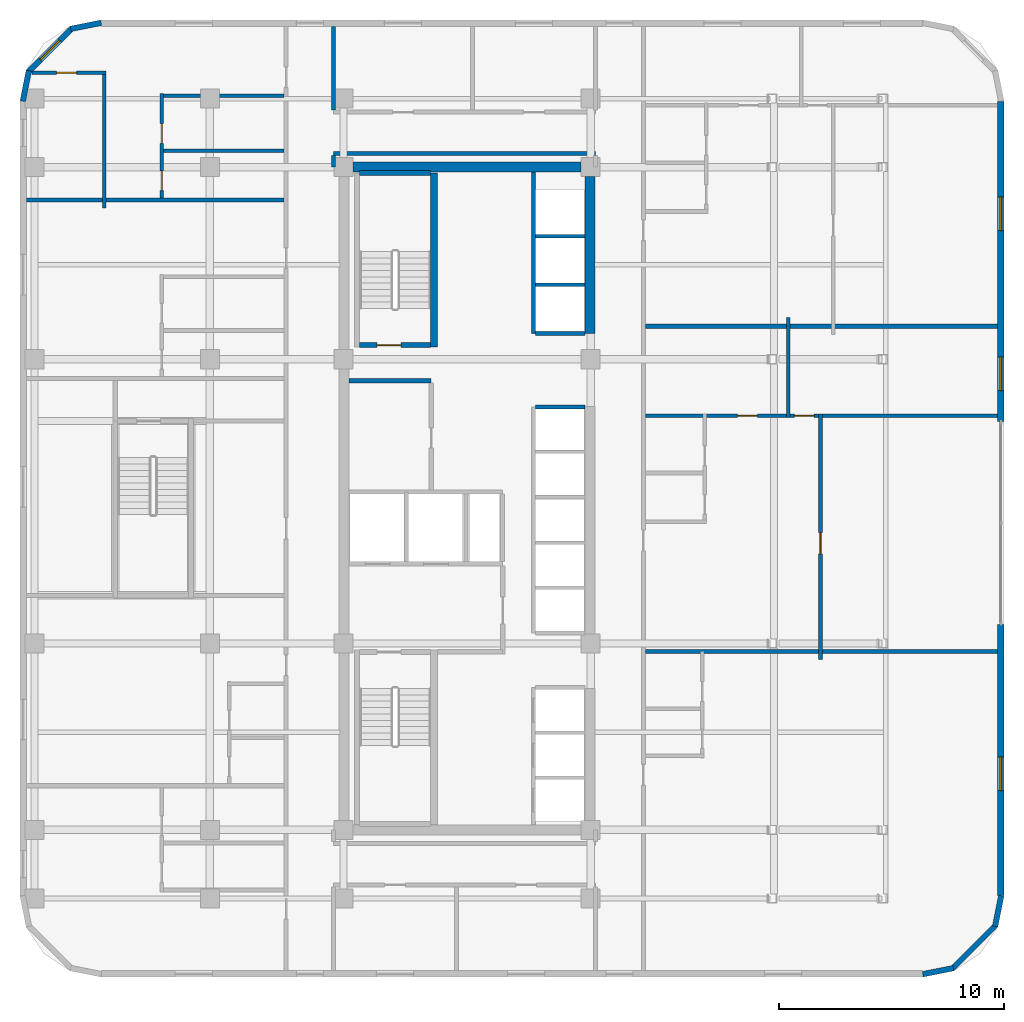
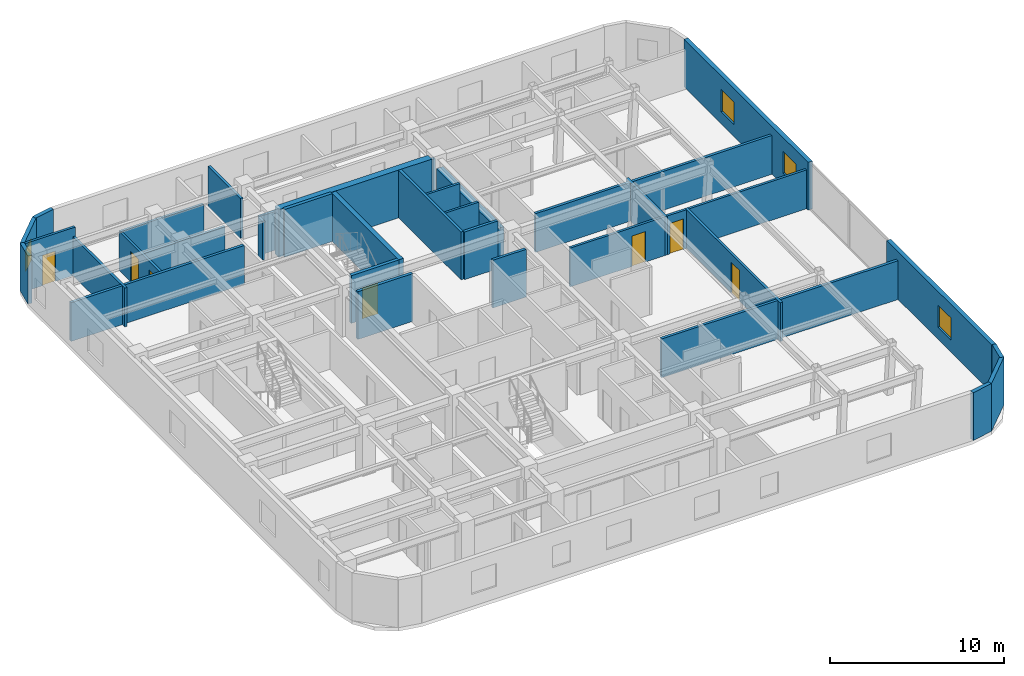
# One storey, part 6 of 9: 33 walls, 7 doors, 4 windows, 11 openings.
"""IFC4 building model written with IfcOpenShell, lengths in metres."""

from ifc_helpers import new_model, si_unit, direction, frame, frame_2d, origin, place, context, subcontext, project, spatial, rectangle, extrude, material, layer, layer_set, type_object, element, fill, save


model = new_model("IFC4")

# Units and contexts
model_context = context("Model", 3, precision=1e-05, world=origin(), true_north=direction((0.0, 1.0)))
body_context = subcontext(model_context, "Body", "Model", "MODEL_VIEW")
ifc_project = project(units=[si_unit("LENGTHUNIT", "METRE"), si_unit("AREAUNIT", "SQUARE_METRE"), si_unit("VOLUMEUNIT", "CUBIC_METRE"), si_unit("PLANEANGLEUNIT", "RADIAN"), si_unit("MASSUNIT", "GRAM", prefix="KILO")], contexts=[model_context])

# Site, building, storey
site_placement = place(None, origin())
site = spatial("IfcSite", under=ifc_project, at=site_placement, CompositionType="ELEMENT")
building_placement = place(site_placement, origin())
building = spatial("IfcBuilding", under=site, at=building_placement, Name="Ochreholt Gables", CompositionType="ELEMENT")
storey_placement = place(building_placement, frame((0.0, 0.0, 94.800048828125)))
storey = spatial("IfcBuildingStorey", under=building, at=storey_placement, Name="L24", CompositionType="ELEMENT", Elevation=94.800048828125)

# Walls
ifc_material_1 = material(Name="Concrete 60 MPa", Category="concrete")
ifc_layer_1 = layer(ifc_material_1, 0.449951171875, Name="Concrete 60 MPa")
ifc_layer_set_1 = layer_set([ifc_layer_1], Name="Concrete 60 MPa")
wall_type_1 = type_object("IfcWallType", Name="WALL-CSW-450", PredefinedType="SHEAR", material=ifc_layer_set_1)
wall_1_placement = place(storey_placement, frame((35.175048828125, 31.35009765625, 0.0), z_axis=(0.0, 0.0, 1.0), x_axis=(0.0, 1.0, 0.0)))
element("IfcWall", 1, at=wall_1_placement, inside=storey, type_object=wall_type_1, Name="L24 Core North-East Shear Wall", PredefinedType="SHEAR", context=body_context, shape_type="SweptSolid", body=[
    extrude(rectangle(XDim=6.974853515625, YDim=0.449951171875, at=frame_2d((3.4873046875, 0.0))), origin(), (0.0, 0.0, 1.0), 2.739013671875),
])
wall_2_placement = place(storey_placement, frame((24.625, 38.75, 0.0), z_axis=(0.0, 0.0, 1.0), x_axis=(1.0, 0.0, 0.0)))
element("IfcWall", 2, at=wall_2_placement, inside=storey, type_object=wall_type_1, Name="L24 Core North Shear Wall", PredefinedType="SHEAR", context=body_context, shape_type="SweptSolid", body=[
    extrude(rectangle(XDim=10.14990234375, YDim=0.449951171875, at=frame_2d((5.074951171875, 0.0))), origin(), (0.0, 0.0, 1.0), 3.349853515625),
])

# Wall, opening, window
ifc_material_2 = material(Name="Precast concrete 40 MPa", Category="concrete")
ifc_layer_2 = layer(ifc_material_2, 0.280029296875, Name="Precast concrete 40 MPa")
ifc_layer_set_2 = layer_set([ifc_layer_2], Name="Precast concrete 40 MPa")
wall_type_2 = type_object("IfcWallType", Name="WALL-EXT-280", PredefinedType="SOLIDWALL", material=ifc_layer_set_2)
wall_3_placement = place(storey_placement, frame((53.4599609375, 6.320068359375, 0.0), z_axis=(0.0, 0.0, 1.0), x_axis=(0.0, 1.0, 0.0)))
wall_3 = element("IfcWall", 3, at=wall_3_placement, inside=storey, type_object=wall_type_2, Name="L24 East Facade Wall 1", PredefinedType="SOLIDWALL", context=body_context, shape_type="SweptSolid", body=[
    extrude(rectangle(XDim=12.079833984375, YDim=0.280029296875, at=frame_2d((6.0400390625, 0.0))), origin(), (0.0, 0.0, 1.0), 3.349853515625),
])
opening_1_placement = place(wall_3_placement, frame((4.681884765625, 0.0, 0.85009765625)))
opening_1 = element("IfcOpeningElement", 4, at=opening_1_placement, cuts=wall_3, Name="Opening WN-2", PredefinedType="OPENING", context=body_context, shape_type="SweptSolid", body=[
    extrude(rectangle(XDim=1.5, YDim=1.550048828125, at=frame_2d((0.75, 0.77490234375))), frame((0.0, 0.14990234375, 0.0), z_axis=(0.0, -1.0, 0.0), x_axis=(1.0, 0.0, 0.0)), (0.0, 0.0, 1.0), 0.300048828125),
])
ifc_material_3 = material(Name="Triple-Glazed Thermally Broken Aluminium Window", Category="aluminium")
window_type_1 = type_object("IfcWindowType", Name="WIN-RES-1500", PartitioningType="SINGLE_PANEL", PredefinedType="WINDOW", material=ifc_material_3)
window_1_placement = place(opening_1_placement, origin())
window_1 = element("IfcWindow", 5, at=window_1_placement, inside=storey, type_object=window_type_1, Name="L24 Window W-EXT-E1-L24-1", OverallHeight=1.550048828125, OverallWidth=1.5, PartitioningType="SINGLE_PANEL", PredefinedType="WINDOW", context=body_context, shape_type="SweptSolid", body=[
    extrude(rectangle(XDim=1.5, YDim=1.550048828125, at=frame_2d((0.75, 0.77490234375))), frame((0.0, 0.030029296875, 0.0), z_axis=(0.0, -1.0, 0.0), x_axis=(1.0, 0.0, 0.0)), (0.0, 0.0, 1.0), 0.06005859375),
])
fill(opening_1, window_1)

# Wall, openings, windows
wall_4_placement = place(storey_placement, frame((53.4599609375, 27.427978515625, 0.0), z_axis=(0.0, 0.0, 1.0), x_axis=(0.0, 1.0, 0.0)))
wall_4 = element("IfcWall", 6, at=wall_4_placement, inside=storey, type_object=wall_type_2, Name="L24 East Facade Wall 2", PredefinedType="SOLIDWALL", context=body_context, shape_type="SweptSolid", body=[
    extrude(rectangle(XDim=14.251953125, YDim=0.280029296875, at=frame_2d((7.1259765625, 0.0))), origin(), (0.0, 0.0, 1.0), 3.349853515625),
])
opening_2_placement = place(wall_4_placement, frame((1.3701171875, 0.0, 0.85009765625)))
opening_2 = element("IfcOpeningElement", 7, at=opening_2_placement, cuts=wall_4, Name="Opening WN-2", PredefinedType="OPENING", context=body_context, shape_type="SweptSolid", body=[
    extrude(rectangle(XDim=1.5, YDim=1.550048828125, at=frame_2d((0.75, 0.77490234375))), frame((0.0, 0.14990234375, 0.0), z_axis=(0.0, -1.0, 0.0), x_axis=(1.0, 0.0, 0.0)), (0.0, 0.0, 1.0), 0.300048828125),
])
opening_3_placement = place(wall_4_placement, frame((8.49609375, 0.0, 0.85009765625)))
opening_3 = element("IfcOpeningElement", 8, at=opening_3_placement, cuts=wall_4, Name="Opening WN-2", PredefinedType="OPENING", context=body_context, shape_type="SweptSolid", body=[
    extrude(rectangle(XDim=1.5, YDim=1.550048828125, at=frame_2d((0.75, 0.77490234375))), frame((0.0, 0.14990234375, 0.0), z_axis=(0.0, -1.0, 0.0), x_axis=(1.0, 0.0, 0.0)), (0.0, 0.0, 1.0), 0.300048828125),
])
window_2_placement = place(opening_2_placement, origin())
window_2 = element("IfcWindow", 9, at=window_2_placement, inside=storey, type_object=window_type_1, Name="L24 Window W-EXT-E2-L24-1", OverallHeight=1.550048828125, OverallWidth=1.5, PartitioningType="SINGLE_PANEL", PredefinedType="WINDOW", context=body_context, shape_type="SweptSolid", body=[
    extrude(rectangle(XDim=1.5, YDim=1.550048828125, at=frame_2d((0.75, 0.77490234375))), frame((0.0, 0.030029296875, 0.0), z_axis=(0.0, -1.0, 0.0), x_axis=(1.0, 0.0, 0.0)), (0.0, 0.0, 1.0), 0.06005859375),
])
fill(opening_2, window_2)
window_3_placement = place(opening_3_placement, origin())
window_3 = element("IfcWindow", 10, at=window_3_placement, inside=storey, type_object=window_type_1, Name="L24 Window W-EXT-E2-L24-2", OverallHeight=1.550048828125, OverallWidth=1.5, PartitioningType="SINGLE_PANEL", PredefinedType="WINDOW", context=body_context, shape_type="SweptSolid", body=[
    extrude(rectangle(XDim=1.5, YDim=1.550048828125, at=frame_2d((0.75, 0.77490234375))), frame((0.0, 0.030029296875, 0.0), z_axis=(0.0, -1.0, 0.0), x_axis=(1.0, 0.0, 0.0)), (0.0, 0.0, 1.0), 0.06005859375),
])
fill(opening_3, window_3)

# Walls
ifc_layer_3 = layer(ifc_material_2, 0.25, Name="Precast concrete 40 MPa")
ifc_layer_set_3 = layer_set([ifc_layer_3], Name="Precast concrete 40 MPa")
wall_type_3 = type_object("IfcWallType", Name="WALL-EXT-CNR", PredefinedType="SOLIDWALL", material=ifc_layer_set_3)
wall_5_placement = place(storey_placement, frame((49.9833984375, 2.82421875, 0.0), z_axis=(0.0, 0.0, 1.0), x_axis=(0.980809899341, 0.19496651342, 0.0)))
element("IfcWall", 11, at=wall_5_placement, inside=storey, type_object=wall_type_3, Name="L24 Rounded Corner Wall SE-1", PredefinedType="SOLIDWALL", context=body_context, shape_type="SweptSolid", body=[
    extrude(rectangle(XDim=1.388671875, YDim=0.25, at=frame_2d((0.6943359375, 0.0))), origin(), (0.0, 0.0, 1.0), 3.349853515625),
])
wall_6_placement = place(storey_placement, frame((51.294921875, 3.068115234375, 0.0), z_axis=(0.0, 0.0, 1.0), x_axis=(0.707151344399, 0.707062215165, 0.0)))
element("IfcWall", 12, at=wall_6_placement, inside=storey, type_object=wall_type_3, Name="L24 Rounded Corner Wall SE-2", PredefinedType="SOLIDWALL", context=body_context, shape_type="SweptSolid", body=[
    extrude(rectangle(XDim=2.7392578125, YDim=0.25, at=frame_2d((1.36962890625, 0.0))), origin(), (0.0, 0.0, 1.0), 3.349853515625),
])
wall_7_placement = place(storey_placement, frame((53.205078125, 4.95458984375, 0.0), z_axis=(0.0, 0.0, 1.0), x_axis=(0.195000137217, 0.980803214965, 0.0)))
element("IfcWall", 13, at=wall_7_placement, inside=storey, type_object=wall_type_3, Name="L24 Rounded Corner Wall SE-3", PredefinedType="SOLIDWALL", context=body_context, shape_type="SweptSolid", body=[
    extrude(rectangle(XDim=1.388427734375, YDim=0.25, at=frame_2d((0.6943359375, 0.0))), origin(), (0.0, 0.0, 1.0), 3.349853515625),
])
wall_8_placement = place(storey_placement, frame((13.41650390625, 45.17578125, 0.0), z_axis=(0.0, 0.0, 1.0), x_axis=(-0.980809899341, -0.19496651342, 0.0)))
element("IfcWall", 14, at=wall_8_placement, inside=storey, type_object=wall_type_3, Name="L24 Rounded Corner Wall NW-1", PredefinedType="SOLIDWALL", context=body_context, shape_type="SweptSolid", body=[
    extrude(rectangle(XDim=1.388671875, YDim=0.25, at=frame_2d((0.6943359375, 0.0))), origin(), (0.0, 0.0, 1.0), 3.349853515625),
])

# Wall, opening, window
wall_9_placement = place(storey_placement, frame((12.10498046875, 44.931884765625, 0.0), z_axis=(0.0, 0.0, 1.0), x_axis=(-0.707151344399, -0.707062215165, 0.0)))
wall_9 = element("IfcWall", 15, at=wall_9_placement, inside=storey, type_object=wall_type_3, Name="L24 Rounded Corner Wall NW-2", PredefinedType="SOLIDWALL", context=body_context, shape_type="SweptSolid", body=[
    extrude(rectangle(XDim=2.7392578125, YDim=0.25, at=frame_2d((1.36962890625, 0.0))), origin(), (0.0, 0.0, 1.0), 3.349853515625),
])
opening_4_placement = place(wall_9_placement, frame((0.769775390625, 0.0, 0.85009765625)))
opening_4 = element("IfcOpeningElement", 16, at=opening_4_placement, cuts=wall_9, Name="Opening WN-3", PredefinedType="OPENING", context=body_context, shape_type="SweptSolid", body=[
    extrude(rectangle(XDim=1.199951171875, YDim=1.5, at=frame_2d((0.60009765625, 0.75))), frame((0.0, 0.135009765625, 0.0), z_axis=(0.0, -1.0, 0.0), x_axis=(1.0, 0.0, 0.0)), (0.0, 0.0, 1.0), 0.27001953125),
])
window_type_2 = type_object("IfcWindowType", Name="WIN-RES-1200", PartitioningType="SINGLE_PANEL", PredefinedType="WINDOW", material=ifc_material_3)
window_4_placement = place(opening_4_placement, origin())
window_4 = element("IfcWindow", 17, at=window_4_placement, inside=storey, type_object=window_type_2, Name="L24 Corner Bedroom Window NW", OverallHeight=1.5, OverallWidth=1.199951171875, PartitioningType="SINGLE_PANEL", PredefinedType="WINDOW", context=body_context, shape_type="SweptSolid", body=[
    extrude(rectangle(XDim=1.199951171875, YDim=1.5, at=frame_2d((0.60009765625, 0.75))), frame((0.0, 0.030029296875, 0.0), z_axis=(0.0, -1.0, 0.0), x_axis=(1.0, 0.0, 0.0)), (0.0, 0.0, 1.0), 0.06005859375),
])
fill(opening_4, window_4)

# Walls
wall_10_placement = place(storey_placement, frame((10.195068359375, 43.04541015625, 0.0), z_axis=(0.0, 0.0, 1.0), x_axis=(-0.195000137217, -0.980803214965, 0.0)))
element("IfcWall", 18, at=wall_10_placement, inside=storey, type_object=wall_type_3, Name="L24 Rounded Corner Wall NW-3", PredefinedType="SOLIDWALL", context=body_context, shape_type="SweptSolid", body=[
    extrude(rectangle(XDim=1.388427734375, YDim=0.25, at=frame_2d((0.6943359375, 0.0))), origin(), (0.0, 0.0, 1.0), 3.349853515625),
])
ifc_material_4 = material(Name="Concrete 40 MPa", Category="concrete")
ifc_layer_4 = layer(ifc_material_4, 0.199951171875, Name="Concrete 40 MPa")
ifc_layer_set_4 = layer_set([ifc_layer_4], Name="Concrete 40 MPa")
wall_type_4 = type_object("IfcWallType", Name="WALL-INT-CF200", PredefinedType="STANDARD", material=ifc_layer_set_4)
wall_11_placement = place(storey_placement, frame((24.449951171875, 29.239990234375, 0.0), z_axis=(0.0, 0.0, 1.0), x_axis=(1.0, 0.0, 0.0)))
element("IfcWall", 19, at=wall_11_placement, inside=storey, type_object=wall_type_4, Name="L24 Interior Wall WI-SRVN-L24", PredefinedType="STANDARD", context=body_context, shape_type="SweptSolid", body=[
    extrude(rectangle(XDim=3.650146484375, YDim=0.199951171875, at=frame_2d((1.8251953125, 0.0))), origin(), (0.0, 0.0, 1.0), 3.349853515625),
])
ifc_material_5 = material(Name="Fire-Rated Gypsum Acoustic Partition", Category="gypsum")
ifc_layer_5 = layer(ifc_material_5, 0.179931640625, Name="Fire-Rated Gypsum Acoustic Partition")
ifc_layer_set_5 = layer_set([ifc_layer_5], Name="Fire-Rated Gypsum Acoustic Partition")
wall_type_5 = type_object("IfcWallType", Name="WALL-INT-CR180", PredefinedType="STANDARD", material=ifc_layer_set_5)
wall_12_placement = place(storey_placement, frame((23.75, 39.35009765625, 0.0), z_axis=(0.0, 0.0, 1.0), x_axis=(1.0, 0.0, 0.0)))
element("IfcWall", 20, at=wall_12_placement, inside=storey, type_object=wall_type_5, Name="L24 Interior Wall WI-C1N2-L24", PredefinedType="STANDARD", context=body_context, shape_type="SweptSolid", body=[
    extrude(rectangle(XDim=11.669921875, YDim=0.179931640625, at=frame_2d((5.8349609375, 0.0))), origin(), (0.0, 0.0, 1.0), 2.720947265625),
])
wall_13_placement = place(storey_placement, frame((23.75, 38.75, 0.0), z_axis=(0.0, 0.0, 1.0), x_axis=(0.0, 1.0, 0.0)))
element("IfcWall", 21, at=wall_13_placement, inside=storey, type_object=wall_type_5, Name="L24 Interior Wall WI-C1NWA2-L24", PredefinedType="STANDARD", context=body_context, shape_type="SweptSolid", body=[
    extrude(rectangle(XDim=0.510009765625, YDim=0.179931640625, at=frame_2d((0.2548828125, 0.0))), origin(), (0.0, 0.0, 1.0), 2.720947265625),
])
ifc_material_6 = material(Name="Double-Stud Acoustic Demising Wall", Category="gypsum")
ifc_layer_6 = layer(ifc_material_6, 0.179931640625, Name="Double-Stud Acoustic Demising Wall")
ifc_layer_set_6 = layer_set([ifc_layer_6], Name="Double-Stud Acoustic Demising Wall")
wall_type_6 = type_object("IfcWallType", Name="WALL-INT-DM180", PredefinedType="PARTITIONING", material=ifc_layer_set_6)
for number, where, z_axis, x_axis, name in (
    (22, (37.639892578125, 17.18408203125, 0.0), (0.0, 0.0, 1.0), (1.0, 0.0, 0.0), "L24 Interior Wall WI-UDE2-L24"),
    (23, (37.639892578125, 31.66796875, 0.0), (0.0, 0.0, 1.0), (1.0, 0.0, 0.0), "L24 Interior Wall WI-UDE3-L24"),
):
    element("IfcWall", number, at=place(storey_placement, frame(where, z_axis=z_axis, x_axis=x_axis)), inside=storey, type_object=wall_type_6, Name=name, PredefinedType="PARTITIONING", context=body_context, shape_type="SweptSolid", body=[
        extrude(rectangle(XDim=15.68017578125, YDim=0.179931640625, at=frame_2d((7.840087890625, 0.0))), origin(), (0.0, 0.0, 1.0), 2.720947265625),
    ])
wall_14_placement = place(storey_placement, frame((10.080078125, 37.2900390625, 0.0), z_axis=(0.0, 0.0, 1.0), x_axis=(1.0, 0.0, 0.0)))
element("IfcWall", 24, at=wall_14_placement, inside=storey, type_object=wall_type_6, Name="L24 Interior Wall WI-UDWN1-L24", PredefinedType="PARTITIONING", context=body_context, shape_type="SweptSolid", body=[
    extrude(rectangle(XDim=11.47998046875, YDim=0.179931640625, at=frame_2d((5.739990234375, 0.0))), origin(), (0.0, 0.0, 1.0), 2.720947265625),
])
wall_15_placement = place(storey_placement, frame((23.75, 41.2900390625, 0.0), z_axis=(0.0, 0.0, 1.0), x_axis=(0.0, 1.0, 0.0)))
element("IfcWall", 25, at=wall_15_placement, inside=storey, type_object=wall_type_6, Name="L24 Interior Wall WI-C1NWA-L24", PredefinedType="PARTITIONING", context=body_context, shape_type="SweptSolid", body=[
    extrude(rectangle(XDim=3.72998046875, YDim=0.179931640625, at=frame_2d((1.864990234375, 0.0))), origin(), (0.0, 0.0, 1.0), 2.799072265625),
])
ifc_material_7 = material(Name="Moisture-Resistant Plumbing Chase Wall", Category="gypsum")
ifc_layer_7 = layer(ifc_material_7, 0.159912109375, Name="Moisture-Resistant Plumbing Chase Wall")
ifc_layer_set_7 = layer_set([ifc_layer_7], Name="Moisture-Resistant Plumbing Chase Wall")
wall_type_7 = type_object("IfcWallType", Name="WALL-INT-PL160", PredefinedType="PLUMBINGWALL", material=ifc_layer_set_7)
wall_16_placement = place(storey_placement, frame((16.030029296875, 41.929931640625, 0.0), z_axis=(0.0, 0.0, 1.0), x_axis=(1.0, 0.0, 0.0)))
element("IfcWall", 26, at=wall_16_placement, inside=storey, type_object=wall_type_7, Name="L24 Interior Wall WU-L24W4-WYN", PredefinedType="PLUMBINGWALL", context=body_context, shape_type="SweptSolid", body=[
    extrude(rectangle(XDim=5.530029296875, YDim=0.159912109375, at=frame_2d((2.76513671875, 0.0))), origin(), (0.0, 0.0, 1.0), 2.799072265625),
])

# Wall, openings, doors
wall_17_placement = place(storey_placement, frame((16.110107421875, 37.3798828125, 0.0), z_axis=(0.0, 0.0, 1.0), x_axis=(0.0, 1.0, 0.0)))
wall_17 = element("IfcWall", 27, at=wall_17_placement, inside=storey, type_object=wall_type_7, Name="L24 Interior Wall WU-L24W4-WX", PredefinedType="PLUMBINGWALL", context=body_context, shape_type="SweptSolid", body=[
    extrude(rectangle(XDim=4.64013671875, YDim=0.159912109375, at=frame_2d((2.320068359375, 0.0))), origin(), (0.0, 0.0, 1.0), 2.720947265625),
])
opening_5_placement = place(wall_17_placement, frame((0.330078125, 0.0, 0.0)))
opening_5 = element("IfcOpeningElement", 28, at=opening_5_placement, cuts=wall_17, Name="Opening D-BT1", PredefinedType="OPENING", context=body_context, shape_type="SweptSolid", body=[
    extrude(rectangle(XDim=0.860107421875, YDim=2.1201171875, at=frame_2d((0.43017578125, 1.06005859375))), frame((0.0, 0.08984375, 0.0), z_axis=(0.0, -1.0, 0.0), x_axis=(1.0, 0.0, 0.0)), (0.0, 0.0, 1.0), 0.179931640625),
])
opening_6_placement = place(wall_17_placement, frame((2.423095703125, 0.0, 0.0)))
opening_6 = element("IfcOpeningElement", 29, at=opening_6_placement, cuts=wall_17, Name="Opening D-GN2", PredefinedType="OPENING", context=body_context, shape_type="SweptSolid", body=[
    extrude(rectangle(XDim=0.8798828125, YDim=2.1201171875, at=frame_2d((0.43994140625, 1.06005859375))), frame((0.0, 0.08984375, 0.0), z_axis=(0.0, -1.0, 0.0), x_axis=(1.0, 0.0, 0.0)), (0.0, 0.0, 1.0), 0.179931640625),
])
ifc_material_8 = material(Name="Engineered Oak Timber", Category="wood")
door_type_1 = type_object("IfcDoorType", Name="DR-INT-BTH860", OperationType="NOTDEFINED", PredefinedType="DOOR", material=ifc_material_8)
door_1_placement = place(opening_5_placement, origin())
door_1 = element("IfcDoor", 30, at=door_1_placement, inside=storey, type_object=door_type_1, Name="L24 Door D-U-L24W4-BTH", OperationType="SINGLE_SWING_LEFT", OverallHeight=2.1201171875, OverallWidth=0.860107421875, PredefinedType="DOOR", context=body_context, shape_type="SweptSolid", body=[
    extrude(rectangle(XDim=0.860107421875, YDim=2.1201171875, at=frame_2d((0.43017578125, 1.06005859375))), frame((0.0, 0.02490234375, 0.0), z_axis=(0.0, -1.0, 0.0), x_axis=(1.0, 0.0, 0.0)), (0.0, 0.0, 1.0), 0.050048828125),
])
fill(opening_5, door_1)
door_type_2 = type_object("IfcDoorType", Name="DR-INT-GEN880", OperationType="NOTDEFINED", PredefinedType="DOOR", material=ifc_material_8)
door_2_placement = place(opening_6_placement, origin())
door_2 = element("IfcDoor", 31, at=door_2_placement, inside=storey, type_object=door_type_2, Name="L24 Door D-U-L24W4-KIT", OperationType="SINGLE_SWING_RIGHT", OverallHeight=2.1201171875, OverallWidth=0.8798828125, PredefinedType="DOOR", context=body_context, shape_type="SweptSolid", body=[
    extrude(rectangle(XDim=0.8798828125, YDim=2.1201171875, at=frame_2d((0.43994140625, 1.06005859375))), frame((0.0, 0.02490234375, 0.0), z_axis=(0.0, -1.0, 0.0), x_axis=(1.0, 0.0, 0.0)), (0.0, 0.0, 1.0), 0.050048828125),
])
fill(opening_6, door_2)

# Wall
wall_18_placement = place(storey_placement, frame((16.18994140625, 39.472900390625, 0.0), z_axis=(0.0, 0.0, 1.0), x_axis=(1.0, 0.0, 0.0)))
element("IfcWall", 32, at=wall_18_placement, inside=storey, type_object=wall_type_7, Name="L24 Interior Wall WU-L24W4-WM", PredefinedType="PLUMBINGWALL", context=body_context, shape_type="SweptSolid", body=[
    extrude(rectangle(XDim=5.3701171875, YDim=0.159912109375, at=frame_2d((2.68505859375, 0.0))), origin(), (0.0, 0.0, 1.0), 2.720947265625),
])

# Wall, openings, doors
ifc_material_9 = material(Name="Gypsum Acoustic Stud Partition", Category="gypsum")
ifc_layer_8 = layer(ifc_material_9, 0.159912109375, Name="Gypsum Acoustic Stud Partition")
ifc_layer_set_8 = layer_set([ifc_layer_8], Name="Gypsum Acoustic Stud Partition")
wall_type_8 = type_object("IfcWallType", Name="WALL-INT-PT160", PredefinedType="PARTITIONING", material=ifc_layer_set_8)
wall_19_placement = place(storey_placement, frame((37.639892578125, 27.677978515625, 0.0), z_axis=(0.0, 0.0, 1.0), x_axis=(1.0, 0.0, 0.0)))
wall_19 = element("IfcWall", 33, at=wall_19_placement, inside=storey, type_object=wall_type_8, Name="L24 Interior Wall WU-L24E2-MN", PredefinedType="PARTITIONING", context=body_context, shape_type="SweptSolid", body=[
    extrude(rectangle(XDim=15.68017578125, YDim=0.159912109375, at=frame_2d((7.840087890625, 0.0))), origin(), (0.0, 0.0, 1.0), 2.720947265625),
])
opening_7_placement = place(wall_19_placement, frame((4.10302734375, 0.0, 0.0)))
opening_7 = element("IfcOpeningElement", 34, at=opening_7_placement, cuts=wall_19, Name="Opening D-BD2", PredefinedType="OPENING", context=body_context, shape_type="SweptSolid", body=[
    extrude(rectangle(XDim=0.8798828125, YDim=2.139892578125, at=frame_2d((0.43994140625, 1.06982421875))), frame((0.0, 0.08984375, 0.0), z_axis=(0.0, -1.0, 0.0), x_axis=(1.0, 0.0, 0.0)), (0.0, 0.0, 1.0), 0.179931640625),
])
opening_8_placement = place(wall_19_placement, frame((6.634033203125, 0.0, 0.0)))
opening_8 = element("IfcOpeningElement", 35, at=opening_8_placement, cuts=wall_19, Name="Opening D-BD2", PredefinedType="OPENING", context=body_context, shape_type="SweptSolid", body=[
    extrude(rectangle(XDim=0.8798828125, YDim=2.139892578125, at=frame_2d((0.43994140625, 1.06982421875))), frame((0.0, 0.08984375, 0.0), z_axis=(0.0, -1.0, 0.0), x_axis=(1.0, 0.0, 0.0)), (0.0, 0.0, 1.0), 0.179931640625),
])
door_type_3 = type_object("IfcDoorType", Name="DR-INT-BED880", OperationType="NOTDEFINED", PredefinedType="DOOR", material=ifc_material_8)
door_3_placement = place(opening_7_placement, origin())
door_3 = element("IfcDoor", 36, at=door_3_placement, inside=storey, type_object=door_type_3, Name="L24 Door D-U-L24E2-BD1", OperationType="SINGLE_SWING_LEFT", OverallHeight=2.139892578125, OverallWidth=0.8798828125, PredefinedType="DOOR", context=body_context, shape_type="SweptSolid", body=[
    extrude(rectangle(XDim=0.8798828125, YDim=2.139892578125, at=frame_2d((0.43994140625, 1.06982421875))), frame((0.0, 0.02490234375, 0.0), z_axis=(0.0, -1.0, 0.0), x_axis=(1.0, 0.0, 0.0)), (0.0, 0.0, 1.0), 0.050048828125),
])
fill(opening_7, door_3)
door_4_placement = place(opening_8_placement, origin())
door_4 = element("IfcDoor", 37, at=door_4_placement, inside=storey, type_object=door_type_3, Name="L24 Door D-U-L24E2-BD2", OperationType="SINGLE_SWING_RIGHT", OverallHeight=2.139892578125, OverallWidth=0.8798828125, PredefinedType="DOOR", context=body_context, shape_type="SweptSolid", body=[
    extrude(rectangle(XDim=0.8798828125, YDim=2.139892578125, at=frame_2d((0.43994140625, 1.06982421875))), frame((0.0, 0.02490234375, 0.0), z_axis=(0.0, -1.0, 0.0), x_axis=(1.0, 0.0, 0.0)), (0.0, 0.0, 1.0), 0.050048828125),
])
fill(opening_8, door_4)

# Wall, opening, door
wall_20_placement = place(storey_placement, frame((45.43408203125, 16.823974609375, 0.0), z_axis=(0.0, 0.0, 1.0), x_axis=(0.0, 1.0, 0.0)))
wall_20 = element("IfcWall", 38, at=wall_20_placement, inside=storey, type_object=wall_type_8, Name="L24 Interior Wall WU-L24E2-DNV", PredefinedType="PARTITIONING", context=body_context, shape_type="SweptSolid", body=[
    extrude(rectangle(XDim=10.93408203125, YDim=0.159912109375, at=frame_2d((5.467041015625, 0.0))), origin(), (0.0, 0.0, 1.0), 2.720947265625),
])
opening_9_placement = place(wall_20_placement, frame((4.70703125, 0.0, 0.0)))
opening_9 = element("IfcOpeningElement", 39, at=opening_9_placement, cuts=wall_20, Name="Opening D-GN1", PredefinedType="OPENING", context=body_context, shape_type="SweptSolid", body=[
    extrude(rectangle(XDim=0.949951171875, YDim=2.14990234375, at=frame_2d((0.47509765625, 1.074951171875))), frame((0.0, 0.08984375, 0.0), z_axis=(0.0, -1.0, 0.0), x_axis=(1.0, 0.0, 0.0)), (0.0, 0.0, 1.0), 0.179931640625),
])
door_type_4 = type_object("IfcDoorType", Name="DR-INT-GEN950", OperationType="NOTDEFINED", PredefinedType="DOOR", material=ifc_material_8)
door_5_placement = place(opening_9_placement, origin())
door_5 = element("IfcDoor", 40, at=door_5_placement, inside=storey, type_object=door_type_4, Name="L24 Door D-U-L24E2-DIN", OperationType="SINGLE_SWING_RIGHT", OverallHeight=2.14990234375, OverallWidth=0.949951171875, PredefinedType="DOOR", context=body_context, shape_type="SweptSolid", body=[
    extrude(rectangle(XDim=0.949951171875, YDim=2.14990234375, at=frame_2d((0.47509765625, 1.074951171875))), frame((0.0, 0.02490234375, 0.0), z_axis=(0.0, -1.0, 0.0), x_axis=(1.0, 0.0, 0.0)), (0.0, 0.0, 1.0), 0.050048828125),
])
fill(opening_9, door_5)

# Walls
wall_21_placement = place(storey_placement, frame((44.004150390625, 27.597900390625, 0.0), z_axis=(0.0, 0.0, 1.0), x_axis=(0.0, 1.0, 0.0)))
element("IfcWall", 41, at=wall_21_placement, inside=storey, type_object=wall_type_8, Name="L24 Interior Wall WU-L24E2-BSD", PredefinedType="PARTITIONING", context=body_context, shape_type="SweptSolid", body=[
    extrude(rectangle(XDim=4.460205078125, YDim=0.159912109375, at=frame_2d((2.22998046875, 0.0))), origin(), (0.0, 0.0, 1.0), 2.720947265625),
])
wall_22_placement = place(storey_placement, frame((13.550048828125, 36.929931640625, 0.0), z_axis=(0.0, 0.0, 1.0), x_axis=(0.0, 1.0, 0.0)))
element("IfcWall", 42, at=wall_22_placement, inside=storey, type_object=wall_type_8, Name="L24 Interior Wall WU-L24W4-STW", PredefinedType="PARTITIONING", context=body_context, shape_type="SweptSolid", body=[
    extrude(rectangle(XDim=6.02001953125, YDim=0.159912109375, at=frame_2d((3.010009765625, 0.0))), origin(), (0.0, 0.0, 1.0), 2.720947265625),
])

# Wall, opening, door
wall_23_placement = place(storey_placement, frame((10.335205078125, 42.949951171875, 0.0), z_axis=(0.0, 0.0, 1.0), x_axis=(1.0, 0.0, 0.0)))
wall_23 = element("IfcWall", 43, at=wall_23_placement, inside=storey, type_object=wall_type_8, Name="L24 Interior Wall WU-L24W4-STN", PredefinedType="PARTITIONING", context=body_context, shape_type="SweptSolid", body=[
    extrude(rectangle(XDim=3.294677734375, YDim=0.159912109375, at=frame_2d((1.6474609375, 0.0))), origin(), (0.0, 0.0, 1.0), 3.349853515625),
])
opening_10_placement = place(wall_23_placement, frame((1.10009765625, 0.0, 0.0)))
opening_10 = element("IfcOpeningElement", 44, at=opening_10_placement, cuts=wall_23, Name="Opening D-GN2", PredefinedType="OPENING", context=body_context, shape_type="SweptSolid", body=[
    extrude(rectangle(XDim=0.8798828125, YDim=2.1201171875, at=frame_2d((0.43994140625, 1.06005859375))), frame((0.0, 0.08984375, 0.0), z_axis=(0.0, -1.0, 0.0), x_axis=(1.0, 0.0, 0.0)), (0.0, 0.0, 1.0), 0.179931640625),
])
door_6_placement = place(opening_10_placement, origin())
door_6 = element("IfcDoor", 45, at=door_6_placement, inside=storey, type_object=door_type_2, Name="L24 Door D-U-L24W4-STD", OperationType="SINGLE_SWING_LEFT", OverallHeight=2.1201171875, OverallWidth=0.8798828125, PredefinedType="DOOR", context=body_context, shape_type="SweptSolid", body=[
    extrude(rectangle(XDim=0.8798828125, YDim=2.1201171875, at=frame_2d((0.43994140625, 1.06005859375))), frame((0.0, 0.02490234375, 0.0), z_axis=(0.0, -1.0, 0.0), x_axis=(1.0, 0.0, 0.0)), (0.0, 0.0, 1.0), 0.050048828125),
])
fill(opening_10, door_6)

# Walls
ifc_material_10 = material(Name="Gypsum Shaftliner and Steel Stud", Category="steel")
ifc_layer_9 = layer(ifc_material_10, 0.14990234375, Name="Gypsum Shaftliner and Steel Stud")
ifc_layer_set_9 = layer_set([ifc_layer_9], Name="Gypsum Shaftliner and Steel Stud")
wall_type_9 = type_object("IfcWallType", Name="WALL-INT-SH150", PredefinedType="STANDARD", material=ifc_layer_set_9)
for number, where, z_axis, x_axis, name in (
    (46, (32.739990234375, 33.52001953125, 0.0), (0.0, 0.0, 1.0), (1.0, 0.0, 0.0), "L24 Interior Wall WI-LFM-D1-L24"),
    (47, (32.739990234375, 35.669921875, 0.0), (0.0, 0.0, 1.0), (1.0, 0.0, 0.0), "L24 Interior Wall WI-LFM-D2-L24"),
):
    element("IfcWall", number, at=place(storey_placement, frame(where, z_axis=z_axis, x_axis=x_axis)), inside=storey, type_object=wall_type_9, Name=name, PredefinedType="STANDARD", context=body_context, shape_type="SweptSolid", body=[
        extrude(rectangle(XDim=2.2099609375, YDim=0.14990234375, at=frame_2d((1.10498046875, 0.0))), origin(), (0.0, 0.0, 1.0), 3.349853515625),
    ])
ifc_layer_10 = layer(ifc_material_10, 0.179931640625, Name="Gypsum Shaftliner and Steel Stud")
ifc_layer_set_10 = layer_set([ifc_layer_10], Name="Gypsum Shaftliner and Steel Stud")
wall_type_10 = type_object("IfcWallType", Name="WALL-INT-SH180", PredefinedType="STANDARD", material=ifc_layer_set_10)
wall_24_placement = place(storey_placement, frame((32.739990234375, 28.080078125, 0.0), z_axis=(0.0, 0.0, 1.0), x_axis=(1.0, 0.0, 0.0)))
element("IfcWall", 48, at=wall_24_placement, inside=storey, type_object=wall_type_10, Name="L24 Interior Wall WI-LFHE-N-L24", PredefinedType="STANDARD", context=body_context, shape_type="SweptSolid", body=[
    extrude(rectangle(XDim=2.2099609375, YDim=0.179931640625, at=frame_2d((1.10498046875, 0.0))), origin(), (0.0, 0.0, 1.0), 3.349853515625),
])
wall_25_placement = place(storey_placement, frame((32.64990234375, 31.35009765625, 0.0), z_axis=(0.0, 0.0, 1.0), x_axis=(0.0, 1.0, 0.0)))
element("IfcWall", 49, at=wall_25_placement, inside=storey, type_object=wall_type_10, Name="L24 Interior Wall WI-LFM-FR-L24", PredefinedType="STANDARD", context=body_context, shape_type="SweptSolid", body=[
    extrude(rectangle(XDim=7.1748046875, YDim=0.179931640625, at=frame_2d((3.58740234375, 0.0))), origin(), (0.0, 0.0, 1.0), 3.349853515625),
])
wall_26_placement = place(storey_placement, frame((32.739990234375, 31.35009765625, 0.0), z_axis=(0.0, 0.0, 1.0), x_axis=(1.0, 0.0, 0.0)))
element("IfcWall", 50, at=wall_26_placement, inside=storey, type_object=wall_type_10, Name="L24 Interior Wall WI-LFM-S-L24", PredefinedType="STANDARD", context=body_context, shape_type="SweptSolid", body=[
    extrude(rectangle(XDim=2.2099609375, YDim=0.179931640625, at=frame_2d((1.10498046875, 0.0))), origin(), (0.0, 0.0, 1.0), 3.349853515625),
])
ifc_layer_11 = layer(ifc_material_1, 0.300048828125, Name="Concrete 60 MPa")
ifc_layer_set_11 = layer_set([ifc_layer_11], Name="Concrete 60 MPa")
wall_type_11 = type_object("IfcWallType", Name="WALL-SPN-300", PredefinedType="SHEAR", material=ifc_layer_set_11)
wall_27_placement = place(storey_placement, frame((28.22998046875, 30.739990234375, 0.0), z_axis=(0.0, 0.0, 1.0), x_axis=(0.0, 1.0, 0.0)))
element("IfcWall", 51, at=wall_27_placement, inside=storey, type_object=wall_type_11, Name="L24 Core North Spine Shear Wall", PredefinedType="SHEAR", context=body_context, shape_type="SweptSolid", body=[
    extrude(rectangle(XDim=7.760009765625, YDim=0.300048828125, at=frame_2d((3.8798828125, 0.0))), origin(), (0.0, 0.0, 1.0), 3.349853515625),
])

# Wall, opening, door
ifc_material_11 = material(Name="Concrete 50 MPa", Category="concrete")
ifc_layer_12 = layer(ifc_material_11, 0.219970703125, Name="Concrete 50 MPa")
ifc_layer_set_12 = layer_set([ifc_layer_12], Name="Concrete 50 MPa")
wall_type_12 = type_object("IfcWallType", Name="WALL-STW-220", PredefinedType="SHEAR", material=ifc_layer_set_12)
wall_28_placement = place(storey_placement, frame((24.919921875, 30.830078125, 0.0), z_axis=(0.0, 0.0, 1.0), x_axis=(1.0, 0.0, 0.0)))
wall_28 = element("IfcWall", 52, at=wall_28_placement, inside=storey, type_object=wall_type_12, Name="L24 Exit Stair 2 South Wall", PredefinedType="SHEAR", context=body_context, shape_type="SweptSolid", body=[
    extrude(rectangle(XDim=3.16015625, YDim=0.219970703125, at=frame_2d((1.580078125, 0.0))), origin(), (0.0, 0.0, 1.0), 3.349853515625),
])
opening_11_placement = place(wall_28_placement, frame((0.780029296875, 0.0, 0.0)))
opening_11 = element("IfcOpeningElement", 53, at=opening_11_placement, cuts=wall_28, Name="Opening D-STC", PredefinedType="OPENING", context=body_context, shape_type="SweptSolid", body=[
    extrude(rectangle(XDim=1.050048828125, YDim=2.14990234375, at=frame_2d((0.52490234375, 1.074951171875))), frame((0.0, 0.119873046875, 0.0), z_axis=(0.0, -1.0, 0.0), x_axis=(1.0, 0.0, 0.0)), (0.0, 0.0, 1.0), 0.239990234375),
])
ifc_material_12 = material(Name="Hollow Metal Steel", Category="steel")
door_type_5 = type_object("IfcDoorType", Name="DR-INT-ST1050", OperationType="NOTDEFINED", PredefinedType="DOOR", material=ifc_material_12)
door_7_placement = place(opening_11_placement, origin())
door_7 = element("IfcDoor", 54, at=door_7_placement, inside=storey, type_object=door_type_5, Name="L24 Door D-ST2-L24", OperationType="SINGLE_SWING_RIGHT", OverallHeight=2.14990234375, OverallWidth=1.050048828125, PredefinedType="DOOR", context=body_context, shape_type="SweptSolid", body=[
    extrude(rectangle(XDim=1.050048828125, YDim=2.14990234375, at=frame_2d((0.52490234375, 1.074951171875))), frame((0.0, 0.02490234375, 0.0), z_axis=(0.0, -1.0, 0.0), x_axis=(1.0, 0.0, 0.0)), (0.0, 0.0, 1.0), 0.050048828125),
])
fill(opening_11, door_7)

# Wall
wall_29_placement = place(storey_placement, frame((24.919921875, 38.489990234375, 0.0), z_axis=(0.0, 0.0, 1.0), x_axis=(1.0, 0.0, 0.0)))
element("IfcWall", 55, at=wall_29_placement, inside=storey, type_object=wall_type_12, Name="L24 Exit Stair 2 North Wall", PredefinedType="SHEAR", context=body_context, shape_type="SweptSolid", body=[
    extrude(rectangle(XDim=3.16015625, YDim=0.219970703125, at=frame_2d((1.580078125, 0.0))), origin(), (0.0, 0.0, 1.0), 3.349853515625),
])

save(model, "model.ifc")
